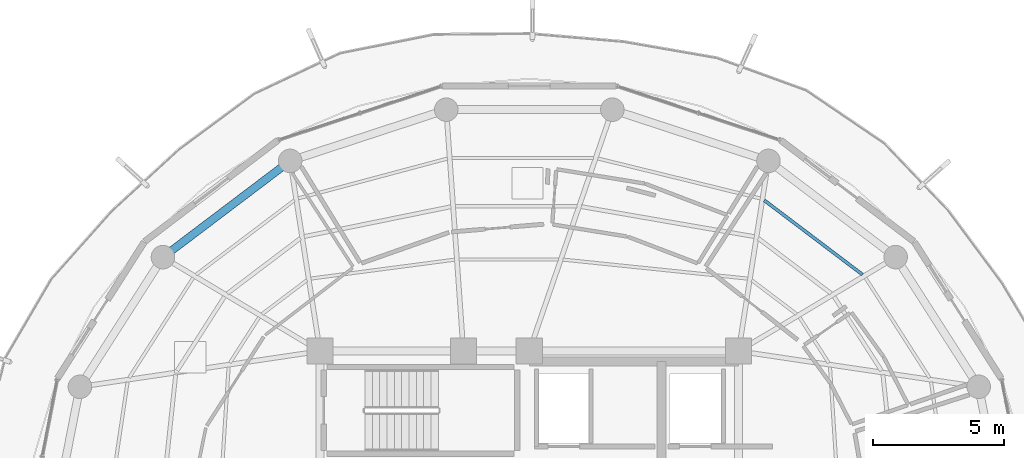
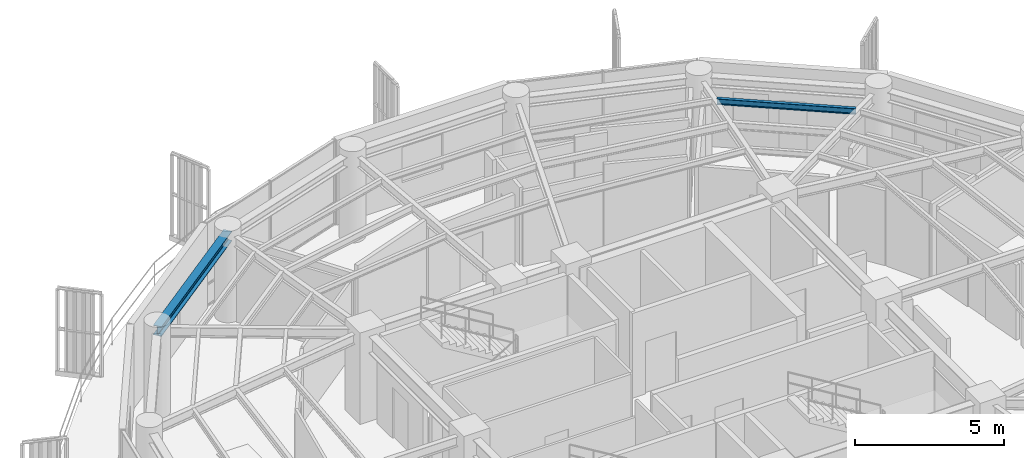
# One storey, part 11 of 22: 2 beams.
"""IFC4 building model written with IfcOpenShell, lengths in metres."""

from ifc_helpers import new_model, si_unit, direction, frame, origin, origin_2d, place, context, subcontext, project, spatial, i_section, extrude, material, material_profile, profile_set, type_object, element, save


model = new_model("IFC4")

# Units and contexts
model_context = context("Model", 3, precision=1e-05, world=origin(), true_north=direction((0.0, 1.0)))
body_context = subcontext(model_context, "Body", "Model", "MODEL_VIEW")
ifc_project = project(units=[si_unit("LENGTHUNIT", "METRE"), si_unit("AREAUNIT", "SQUARE_METRE"), si_unit("VOLUMEUNIT", "CUBIC_METRE"), si_unit("PLANEANGLEUNIT", "RADIAN"), si_unit("MASSUNIT", "GRAM", prefix="KILO")], contexts=[model_context])

# Site, building, storey
site_placement = place(None, origin())
site = spatial("IfcSite", under=ifc_project, at=site_placement, CompositionType="ELEMENT")
building_placement = place(site_placement, origin())
building = spatial("IfcBuilding", under=site, at=building_placement, Name="Kelanora Arch Commons", CompositionType="ELEMENT")
storey_placement = place(building_placement, frame((0.0, 0.0, 259.949951171875)))
storey = spatial("IfcBuildingStorey", under=building, at=storey_placement, Name="L66", CompositionType="ELEMENT", Elevation=259.949951171875)

# Beams
ifc_material = material(Name="Steel S355", Category="steel")
ifc_material_profile_1 = material_profile(ifc_material, i_section(OverallWidth=0.1201171875, OverallDepth=0.239990234375, WebThickness=0.006103515625, FlangeThickness=0.009765625, FilletRadius=0.014892578125, at=origin_2d()), Name="IPE240")
ifc_profile_set_1 = profile_set([ifc_material_profile_1], Name="Steel S355")
beam_type_1 = type_object("IfcBeamType", Name="BM-JST-02", PredefinedType="JOIST", material=ifc_profile_set_1)
beam_1_placement = place(storey_placement, frame((86.73486328125, 67.92578125, 3.3701171875), z_axis=(-0.79752302984, 0.60328850219, 0.0), x_axis=(-0.60328850219, -0.79752302984, 0.0)))
element("IfcBeam", 1, at=beam_1_placement, inside=storey, type_object=beam_type_1, Name="Secondary Chord Joist BJC-04 L66", PredefinedType="JOIST", context=body_context, shape_type="SweptSolid", body=[
    extrude(i_section(OverallWidth=0.1201171875, OverallDepth=0.239990234375, WebThickness=0.006103515625, FlangeThickness=0.009765625, FilletRadius=0.014892578125, at=origin_2d()), origin(), (0.0, 0.0, 1.0), 4.70849609375),
])
ifc_material_profile_2 = material_profile(ifc_material, i_section(OverallWidth=0.300048828125, OverallDepth=0.39990234375, WebThickness=0.013427734375, FlangeThickness=0.02392578125, FilletRadius=0.027099609375, at=origin_2d()), Name="HEB400")
ifc_profile_set_2 = profile_set([ifc_material_profile_2], Name="Steel S355")
beam_type_2 = type_object("IfcBeamType", Name="BM-SPN-Z4", PredefinedType="SPANDREL", material=ifc_profile_set_2)
beam_2_placement = place(storey_placement, frame((64.860107421875, 72.272216796875, 3.2900390625), z_axis=(-0.797509460967, -0.603306439273, 0.0), x_axis=(0.603306439273, -0.797509460967, 0.0)))
element("IfcBeam", 2, at=beam_2_placement, inside=storey, type_object=beam_type_2, Name="Perimeter Spandrel Beam BS-12 L66", PredefinedType="SPANDREL", context=body_context, shape_type="SweptSolid", body=[
    extrude(i_section(OverallWidth=0.300048828125, OverallDepth=0.39990234375, WebThickness=0.013427734375, FlangeThickness=0.02392578125, FilletRadius=0.027099609375, at=origin_2d()), origin(), (0.0, 0.0, 1.0), 6.098388671875),
])

save(model, "model.ifc")
